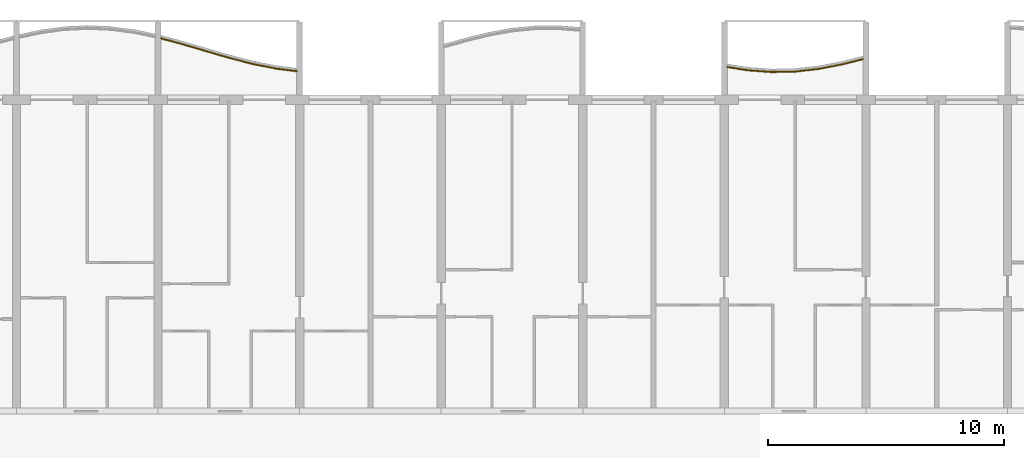
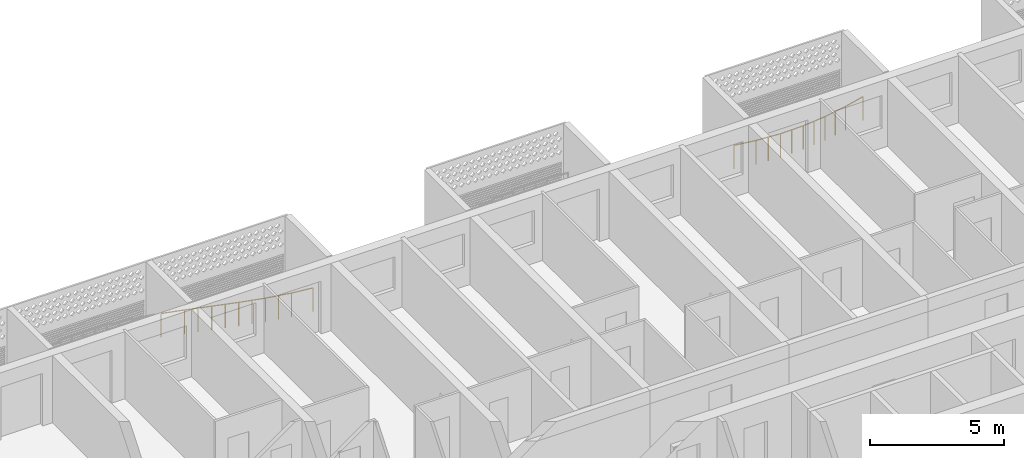
# One storey, part 23 of 29: 2 railings.
"""IFC4 building model written with IfcOpenShell, lengths in metres."""

from ifc_helpers import new_model, si_unit, direction, frame, origin, origin_2d, place, context, subcontext, project, spatial, circle, extrude, material, type_object, element, save


model = new_model("IFC4")

# Units and contexts
model_context = context("Model", 3, precision=1e-05, world=origin(), true_north=direction((0.0, 1.0)))
body_context = subcontext(model_context, "Body", "Model", "MODEL_VIEW")
ifc_project = project(units=[si_unit("LENGTHUNIT", "METRE"), si_unit("AREAUNIT", "SQUARE_METRE"), si_unit("VOLUMEUNIT", "CUBIC_METRE"), si_unit("PLANEANGLEUNIT", "RADIAN"), si_unit("MASSUNIT", "GRAM", prefix="KILO")], contexts=[model_context])

# Site, building, storey
site_placement = place(None, origin())
site = spatial("IfcSite", under=ifc_project, at=site_placement, CompositionType="ELEMENT")
building_placement = place(site_placement, origin())
building = spatial("IfcBuilding", under=site, at=building_placement, Name="Poui Terraces", CompositionType="ELEMENT")
storey_placement = place(building_placement, frame((0.0, 0.0, 86.10009765625)))
storey = spatial("IfcBuildingStorey", under=building, at=storey_placement, Name="L23", CompositionType="ELEMENT", Elevation=86.10009765625)

# Railings
ifc_material = material(Name="Painted steel fretwork", Category="steel")
railing_type = type_object("IfcRailingType", Name="BALCONY GUARD 1100", PredefinedType="GUARDRAIL", material=ifc_material)
railing_1_placement = place(storey_placement, frame((36.125, 46.19970703125, 0.0)))
element("IfcRailing", 1, at=railing_1_placement, inside=storey, type_object=railing_type, Name="BALCONY GUARD", PredefinedType="GUARDRAIL", context=body_context, shape_type="SweptSolid", body=[
    extrude(circle(Radius=0.02392578125, at=origin_2d()), frame((0.0, 0.0, 1.076171875), z_axis=(0.965678166761, -0.259741560479, 0.0), x_axis=(0.259741560479, 0.965678166761, 0.0)), (0.0, 0.0, 1.0), 0.906005859375),
    extrude(circle(Radius=0.02392578125, at=origin_2d()), frame((0.875, -0.2353515625, 1.076171875), z_axis=(0.959346851742, -0.282229725671, 0.0), x_axis=(0.282229725671, 0.959346851742, 0.0)), (0.0, 0.0, 1.0), 1.04248046875),
    extrude(circle(Radius=0.02392578125, at=origin_2d()), frame((1.875, -0.529541015625, 1.076171875), z_axis=(0.960041991036, -0.279855990551, 0.0), x_axis=(0.279855990551, 0.960041991036, 0.0)), (0.0, 0.0, 1.0), 1.04150390625),
    extrude(circle(Radius=0.02392578125, at=origin_2d()), frame((2.875, -0.821044921875, 1.076171875), z_axis=(0.968050037836, -0.250757102086, 0.0), x_axis=(0.250757102086, 0.968050037836, 0.0)), (0.0, 0.0, 1.0), 1.032958984375),
    extrude(circle(Radius=0.02392578125, at=origin_2d()), frame((3.875, -1.080078125, 1.076171875), z_axis=(0.980635885947, -0.19583988152, 0.0), x_axis=(0.19583988152, 0.980635885947, 0.0)), (0.0, 0.0, 1.0), 1.019775390625),
    extrude(circle(Radius=0.02392578125, at=origin_2d()), frame((4.875, -1.27978515625, 1.076171875), z_axis=(0.99220958069, -0.124579885968, 0.0), x_axis=(0.124579885968, 0.99220958069, 0.0)), (0.0, 0.0, 1.0), 0.8818359375),
    extrude(circle(Radius=0.02099609375, at=origin_2d()), origin(), (0.0, 0.0, 1.0), 1.052001953125),
    extrude(circle(Radius=0.02099609375, at=origin_2d()), frame((0.875, -0.2353515625, 0.0)), (0.0, 0.0, 1.0), 1.052001953125),
    extrude(circle(Radius=0.02099609375, at=origin_2d()), frame((1.375, -0.38232421875, 0.0)), (0.0, 0.0, 1.0), 1.052001953125),
    extrude(circle(Radius=0.02099609375, at=origin_2d()), frame((1.875, -0.529541015625, 0.0)), (0.0, 0.0, 1.0), 1.052001953125),
    extrude(circle(Radius=0.02099609375, at=origin_2d()), frame((2.375, -0.67529296875, 0.0)), (0.0, 0.0, 1.0), 1.052001953125),
    extrude(circle(Radius=0.02099609375, at=origin_2d()), frame((2.875, -0.821044921875, 0.0)), (0.0, 0.0, 1.0), 1.052001953125),
    extrude(circle(Radius=0.02099609375, at=origin_2d()), frame((3.375, -0.95068359375, 0.0)), (0.0, 0.0, 1.0), 1.052001953125),
    extrude(circle(Radius=0.02099609375, at=origin_2d()), frame((3.875, -1.080078125, 0.0)), (0.0, 0.0, 1.0), 1.052001953125),
    extrude(circle(Radius=0.02099609375, at=origin_2d()), frame((4.375, -1.179931640625, 0.0)), (0.0, 0.0, 1.0), 1.052001953125),
    extrude(circle(Radius=0.02099609375, at=origin_2d()), frame((4.875, -1.27978515625, 0.0)), (0.0, 0.0, 1.0), 1.052001953125),
    extrude(circle(Radius=0.02099609375, at=origin_2d()), frame((5.75, -1.3896484375, 0.0)), (0.0, 0.0, 1.0), 1.052001953125),
])
railing_2_placement = place(storey_placement, frame((60.125, 44.986328125, 0.0)))
element("IfcRailing", 2, at=railing_2_placement, inside=storey, type_object=railing_type, Name="BALCONY GUARD", PredefinedType="GUARDRAIL", context=body_context, shape_type="SweptSolid", body=[
    extrude(circle(Radius=0.02392578125, at=origin_2d()), frame((0.0, 0.0, 1.076171875), z_axis=(0.987927799636, -0.154915017689, 0.0), x_axis=(0.154915017689, 0.987927799636, 0.0)), (0.0, 0.0, 1.0), 0.8857421875),
    extrude(circle(Radius=0.02392578125, at=origin_2d()), frame((0.875, -0.13720703125, 1.076171875), z_axis=(0.997202940152, -0.074741528962, 0.0), x_axis=(0.074741528962, 0.997202940152, 0.0)), (0.0, 0.0, 1.0), 1.002685546875),
    extrude(circle(Radius=0.02392578125, at=origin_2d()), frame((1.875, -0.212158203125, 1.076171875), z_axis=(0.999804524294, 0.019771525017, 0.0), x_axis=(-0.019771525017, 0.999804524294, 0.0)), (0.0, 0.0, 1.0), 1.000244140625),
    extrude(circle(Radius=0.02392578125, at=origin_2d()), frame((2.875, -0.1923828125, 1.076171875), z_axis=(0.993725924527, 0.111842688283, 0.0), x_axis=(-0.111842688283, 0.993725924527, 0.0)), (0.0, 0.0, 1.0), 1.00634765625),
    extrude(circle(Radius=0.02392578125, at=origin_2d()), frame((3.875, -0.079833984375, 1.076171875), z_axis=(0.981724998512, 0.190305090044, 0.0), x_axis=(-0.190305090044, 0.981724998512, 0.0)), (0.0, 0.0, 1.0), 1.0185546875),
    extrude(circle(Radius=0.02392578125, at=origin_2d()), frame((4.875, 0.114013671875, 1.076171875), z_axis=(0.969631101491, 0.24457213051, 0.0), x_axis=(-0.24457213051, 0.969631101491, 0.0)), (0.0, 0.0, 1.0), 0.90234375),
    extrude(circle(Radius=0.02099609375, at=origin_2d()), origin(), (0.0, 0.0, 1.0), 1.052001953125),
    extrude(circle(Radius=0.02099609375, at=origin_2d()), frame((0.875, -0.13720703125, 0.0)), (0.0, 0.0, 1.0), 1.052001953125),
    extrude(circle(Radius=0.02099609375, at=origin_2d()), frame((1.375, -0.1748046875, 0.0)), (0.0, 0.0, 1.0), 1.052001953125),
    extrude(circle(Radius=0.02099609375, at=origin_2d()), frame((1.875, -0.212158203125, 0.0)), (0.0, 0.0, 1.0), 1.052001953125),
    extrude(circle(Radius=0.02099609375, at=origin_2d()), frame((2.375, -0.2021484375, 0.0)), (0.0, 0.0, 1.0), 1.052001953125),
    extrude(circle(Radius=0.02099609375, at=origin_2d()), frame((2.875, -0.1923828125, 0.0)), (0.0, 0.0, 1.0), 1.052001953125),
    extrude(circle(Radius=0.02099609375, at=origin_2d()), frame((3.375, -0.13623046875, 0.0)), (0.0, 0.0, 1.0), 1.052001953125),
    extrude(circle(Radius=0.02099609375, at=origin_2d()), frame((3.875, -0.079833984375, 0.0)), (0.0, 0.0, 1.0), 1.052001953125),
    extrude(circle(Radius=0.02099609375, at=origin_2d()), frame((4.375, 0.01708984375, 0.0)), (0.0, 0.0, 1.0), 1.052001953125),
    extrude(circle(Radius=0.02099609375, at=origin_2d()), frame((4.875, 0.114013671875, 0.0)), (0.0, 0.0, 1.0), 1.052001953125),
    extrude(circle(Radius=0.02099609375, at=origin_2d()), frame((5.75, 0.334716796875, 0.0)), (0.0, 0.0, 1.0), 1.052001953125),
])

save(model, "model.ifc")
